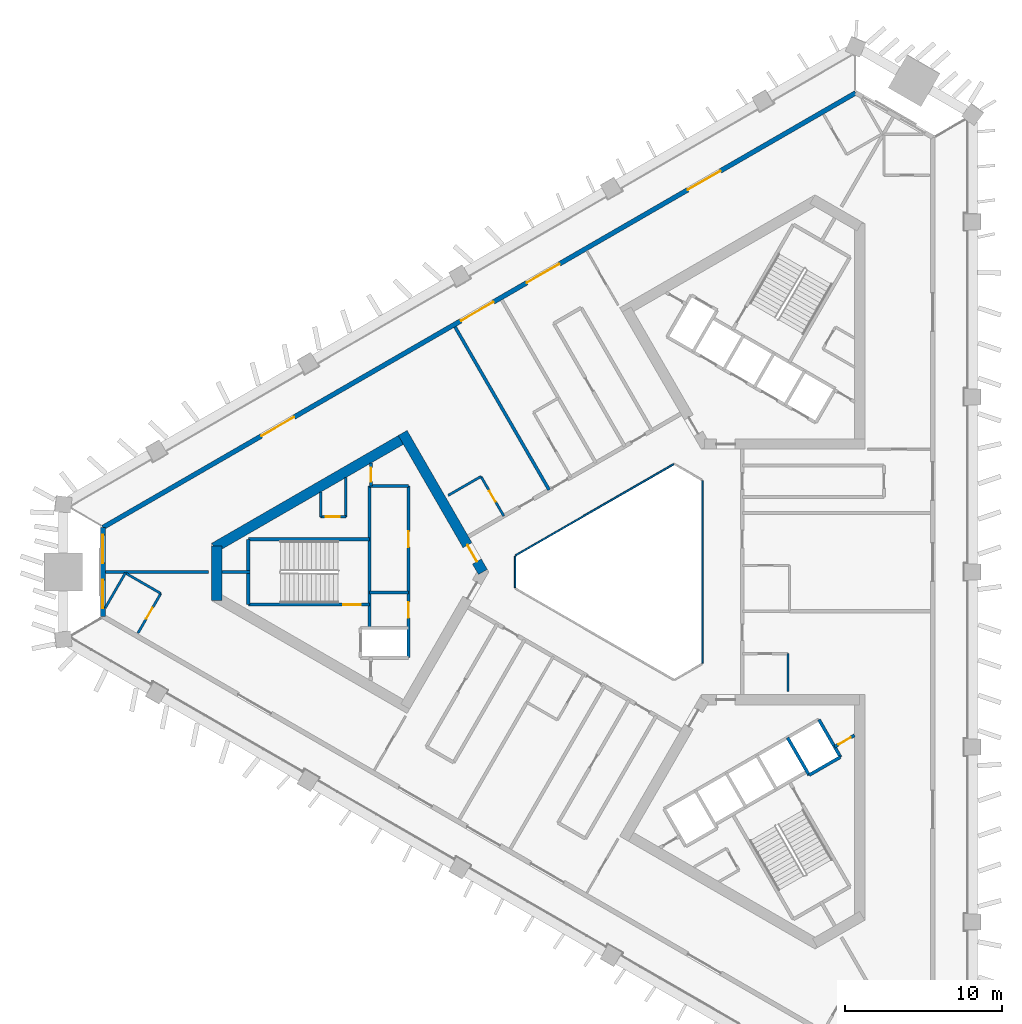
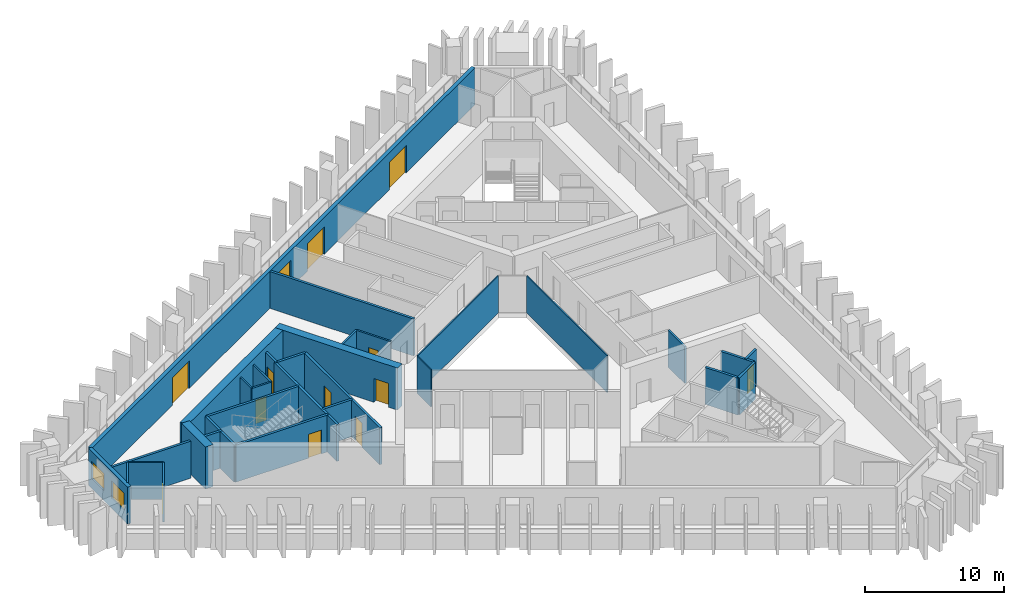
# One storey, part 4 of 11: 32 walls, 13 doors, 2 windows, 15 openings.
"""IFC4 building model written with IfcOpenShell, lengths in metres."""

import ifcopenshell
import ifcopenshell.guid

model = None  # the IFC model being written
_history = None  # IfcOwnerHistory: only IFC2X3 demands one
_inside = {}  # id of a spatial element -> (the spatial element, [elements in it])
_under = {}  # id of a project, library or spatial element -> (it, [spatial elements below it])
_declared = {}  # id of a project -> (the project, [libraries it declares])
_typed = {}  # id of a type object -> (the type object, [elements of that type])
_made_of = {}  # id of a material, layer set ... -> (it, [elements and type objects made of it])


def new_model(schema):
    """Start an empty IFC model of exactly this schema.

    Asked for "IFC4X3", IfcOpenShell would pick the latest addendum, in which some entities
    have other attributes; the version numbers below select the first issue.
    IFC2X3 requires an IfcOwnerHistory on every rooted entity: one is made here for all.
    """
    global model, _history
    if schema == "IFC4X3":
        model = ifcopenshell.file(schema_version=(4, 3, 0, 0))
    else:
        model = ifcopenshell.file(schema=schema)
    _inside.clear()
    _under.clear()
    _declared.clear()
    _typed.clear()
    _made_of.clear()
    _history = None
    if model.schema == "IFC2X3":
        org = make("IfcOrganization", Name="unknown")
        user = make(
            "IfcPersonAndOrganization",
            ThePerson=make("IfcPerson", FamilyName="unknown"),
            TheOrganization=org,
        )
        app = make(
            "IfcApplication",
            ApplicationDeveloper=org,
            Version="unknown",
            ApplicationFullName="unknown",
            ApplicationIdentifier="unknown",
        )
        _history = make(
            "IfcOwnerHistory",
            OwningUser=user,
            OwningApplication=app,
            ChangeAction="ADDED",
            CreationDate=0,
        )
    return model


def make(cls, **values):
    """One entity of the class cls with the attributes given. An attribute that is None is left unset."""
    return model.create_entity(
        cls, **{name: value for name, value in values.items() if value is not None}
    )


def rooted(cls, **values):
    """An entity with a GlobalId (a new one), such as an element, a storey or a relation."""
    return make(cls, GlobalId=ifcopenshell.guid.new(), OwnerHistory=_history, **values)


def si_unit(unit_type, name, prefix=None):
    """IfcSIUnit, for example si_unit("LENGTHUNIT", "METRE", prefix="MILLI")."""
    return make("IfcSIUnit", UnitType=unit_type, Prefix=prefix, Name=name)


def assignment(units):
    """IfcUnitAssignment: the units of a project."""
    return None if units is None else make("IfcUnitAssignment", Units=units)


def point(xyz):
    """IfcCartesianPoint."""
    return None if xyz is None else make("IfcCartesianPoint", Coordinates=xyz)


def direction(xyz):
    """IfcDirection."""
    return None if xyz is None else make("IfcDirection", DirectionRatios=xyz)


def frame(location, z_axis=None, x_axis=None):
    """IfcAxis2Placement3D, a coordinate frame: its origin and axes. An axis left out is left unset."""
    return make(
        "IfcAxis2Placement3D",
        Location=point(location),
        Axis=direction(z_axis),
        RefDirection=direction(x_axis),
    )


def frame_2d(location, x_axis=None):
    """IfcAxis2Placement2D, a coordinate frame in the plane: its origin and x axis."""
    return make(
        "IfcAxis2Placement2D", Location=point(location), RefDirection=direction(x_axis)
    )


def origin():
    """The frame at (0, 0, 0) with its axes left unset."""
    return frame((0.0, 0.0, 0.0))


def place(relative_to, where):
    """IfcLocalPlacement: puts the frame where relative to a parent placement (None: the world)."""
    return make(
        "IfcLocalPlacement", PlacementRelTo=relative_to, RelativePlacement=where
    )


def context(
    kind, dimensions, precision=None, world=None, true_north=None, identifier=None
):
    """IfcGeometricRepresentationContext, for example the 3D "Model" context."""
    return make(
        "IfcGeometricRepresentationContext",
        ContextIdentifier=identifier,
        ContextType=kind,
        CoordinateSpaceDimension=dimensions,
        Precision=precision,
        WorldCoordinateSystem=world,
        TrueNorth=true_north,
    )


def subcontext(parent, identifier, kind, view, scale=None):
    """IfcGeometricRepresentationSubContext, for example "Body" below "Model"."""
    return make(
        "IfcGeometricRepresentationSubContext",
        ContextIdentifier=identifier,
        ContextType=kind,
        ParentContext=parent,
        TargetScale=scale,
        TargetView=view,
    )


def project(units=None, contexts=None):
    """IfcProject with its units and contexts."""
    return rooted(
        "IfcProject",
        Name="project",
        RepresentationContexts=contexts,
        UnitsInContext=assignment(units),
    )


def spatial(cls, under=None, at=None, **own):
    """A site, building, storey or space (cls), placed at a placement, below another one or the project."""
    s = rooted(cls, ObjectPlacement=at, **own)
    if under is not None:
        _under.setdefault(under.id(), (under, []))[1].append(s)
    return s


def profile(cls, at=None, kind="AREA", **sizes):
    """A parametric profile (cls). Its sizes go by their IFC names, for example OverallWidth=200.0."""
    return make(cls, ProfileType=kind, Position=at, **sizes)


def rectangle(**sizes):
    """IfcRectangleProfileDef."""
    return profile("IfcRectangleProfileDef", **sizes)


def extrude(swept, where, along, depth):
    """IfcExtrudedAreaSolid: the profile swept, set in the frame where, extruded along a direction by depth."""
    return make(
        "IfcExtrudedAreaSolid",
        SweptArea=swept,
        Position=where,
        ExtrudedDirection=direction(along),
        Depth=depth,
    )


def shape(context_of_items, identifier, shape_type, items):
    """IfcShapeRepresentation: the items that make up one representation, for example the "Body"."""
    return make(
        "IfcShapeRepresentation",
        ContextOfItems=context_of_items,
        RepresentationIdentifier=identifier,
        RepresentationType=shape_type,
        Items=items,
    )


def material(Name=None, Category=None):
    """IfcMaterial."""
    return make("IfcMaterial", Name=Name, Category=Category)


def layer(
    of_material, thickness, ventilated=None, Name=None, Category=None, Priority=None
):
    """IfcMaterialLayer: one layer of a wall or slab, of a material (None: an air gap)."""
    return make(
        "IfcMaterialLayer",
        Material=of_material,
        LayerThickness=thickness,
        IsVentilated=ventilated,
        Name=Name,
        Category=Category,
        Priority=Priority,
    )


def layer_set(layers, Name=None):
    """IfcMaterialLayerSet."""
    return make("IfcMaterialLayerSet", MaterialLayers=layers, LayerSetName=Name)


def made_of(thing, what):
    """Note that an element or type object is made of a material, layer set ...; save() writes the relation."""
    if what is not None:
        _made_of.setdefault(what.id(), (what, []))[1].append(thing)
    return thing


def type_object(cls, material=None, **own):
    """A type object (cls), such as IfcWallType, which elements share."""
    return made_of(rooted(cls, **own), material)


def element(
    cls,
    number,
    at=None,
    inside=None,
    cuts=None,
    type_object=None,
    material=None,
    context=None,
    identifier="Body",
    shape_type=None,
    held_by="IfcProductDefinitionShape",
    body=None,
    shapes=None,
    **own,
):
    """One element of the class cls, such as IfcWall. Its Tag is "e" and its number.

    at: its placement. inside: the storey or other place that contains it. cuts: it is an
    opening in that element (IfcRelVoidsElement). A single representation is given by context,
    identifier, shape_type and body (its items); several are given by shapes. held_by: the class
    of the entity that holds the representations. save() writes the other relations.
    """
    e = rooted(cls, Tag="e%d" % number, ObjectPlacement=at, **own)
    if body is not None:
        shapes = [shape(context, identifier, shape_type, body)]
    if shapes is not None:
        e.Representation = make(held_by, Representations=shapes)
    if inside is not None:
        _inside.setdefault(inside.id(), (inside, []))[1].append(e)
    if cuts is not None:
        rooted(
            "IfcRelVoidsElement", RelatingBuildingElement=cuts, RelatedOpeningElement=e
        )
    if type_object is not None:
        _typed.setdefault(type_object.id(), (type_object, []))[1].append(e)
    return made_of(e, material)


def fill(opening, filler):
    """IfcRelFillsElement: the door or window that sits in an opening."""
    return rooted(
        "IfcRelFillsElement",
        RelatingOpeningElement=opening,
        RelatedBuildingElement=filler,
    )


def aggregate(whole, parts):
    """IfcRelAggregates: a whole, such as a stair, and the parts it consists of."""
    return rooted("IfcRelAggregates", RelatingObject=whole, RelatedObjects=parts)


def save(model, path):
    """Write the relations noted so far, then the file.

    IfcRelAggregates (storeys below a building ...), IfcRelContainedInSpatialStructure (elements
    in a storey), IfcRelDefinesByType, IfcRelAssociatesMaterial and IfcRelDeclares: one each for
    every whole, place, type object, material and project.
    """
    for whole, parts in _under.values():
        aggregate(whole, parts)
    for where, things in _inside.values():
        rooted(
            "IfcRelContainedInSpatialStructure",
            RelatedElements=things,
            RelatingStructure=where,
        )
    for kind, things in _typed.values():
        rooted("IfcRelDefinesByType", RelatedObjects=things, RelatingType=kind)
    for what, things in _made_of.values():
        rooted("IfcRelAssociatesMaterial", RelatedObjects=things, RelatingMaterial=what)
    for by, libraries in _declared.values():
        rooted("IfcRelDeclares", RelatingContext=by, RelatedDefinitions=libraries)
    model.write(path)


model = new_model("IFC4")

# Units and contexts
model_context = context("Model", 3, precision=1e-05, world=origin(), true_north=direction((0.0, 1.0)))
body_context = subcontext(model_context, "Body", "Model", "MODEL_VIEW")
ifc_project = project(units=[si_unit("LENGTHUNIT", "METRE"), si_unit("AREAUNIT", "SQUARE_METRE"), si_unit("VOLUMEUNIT", "CUBIC_METRE"), si_unit("PLANEANGLEUNIT", "RADIAN"), si_unit("MASSUNIT", "GRAM", prefix="KILO")], contexts=[model_context])

# Site, building, storey
site_placement = place(None, origin())
site = spatial("IfcSite", under=ifc_project, at=site_placement, CompositionType="ELEMENT")
building_placement = place(site_placement, origin())
building = spatial("IfcBuilding", under=site, at=building_placement, Name="Jabali Bay Hotel Tower and Convention Centre", CompositionType="ELEMENT")
storey_placement = place(building_placement, frame((0.0, 0.0, 143.800048828125)))
storey = spatial("IfcBuildingStorey", under=building, at=storey_placement, Name="L35", CompositionType="ELEMENT", Elevation=143.800048828125)

# Walls
ifc_material_1 = material(Name="Fire-resistant glazing", Category="glass")
ifc_layer_1 = layer(ifc_material_1, 0.10009765625)
ifc_layer_set_1 = layer_set([ifc_layer_1], Name="Fire-resistant glazing")
wall_type_1 = type_object("IfcWallType", Name="Atrium glazed screen 100", PredefinedType="PARTITIONING", material=ifc_layer_set_1)
for number, where, z_axis, x_axis, name in (
    (1, (79.56005859375, 74.205810546875, 0.0), (0.0, 0.0, 1.0), (0.0, 1.0, 0.0), "Atrium screen 1 L35"),
    (2, (77.738037109375, 86.84619140625, 0.0), (0.0, 0.0, 1.0), (-0.866026658274, -0.499997827154, 0.0), "Atrium screen 3 L35"),
):
    element("IfcWall", number, at=place(storey_placement, frame(where, z_axis=z_axis, x_axis=x_axis)), inside=storey, type_object=wall_type_1, Name=name, PredefinedType="PARTITIONING", context=body_context, shape_type="SweptSolid", body=[
        extrude(rectangle(XDim=11.58837890625, YDim=0.10009765625, at=frame_2d((5.794189453125, 0.0))), origin(), (0.0, 0.0, 1.0), 3.25),
    ])
wall_1_placement = place(storey_placement, frame((67.672119140625, 81.0, 0.0), z_axis=(0.0, 0.0, 1.0), x_axis=(0.0, -1.0, 0.0)))
element("IfcWall", 3, at=wall_1_placement, inside=storey, type_object=wall_type_1, Name="Atrium screen 4 L35", PredefinedType="PARTITIONING", context=body_context, shape_type="SweptSolid", body=[
    extrude(rectangle(XDim=2.0, YDim=0.10009765625, at=frame_2d((1.0, 0.0))), origin(), (0.0, 0.0, 1.0), 3.25),
])
ifc_material_2 = material(Name="Concrete C40", Category="concrete")
ifc_layer_2 = layer(ifc_material_2, 0.199951171875)
ifc_layer_set_2 = layer_set([ifc_layer_2], Name="Concrete C40")
wall_type_2 = type_object("IfcWallType", Name="Core partition wall 200", PredefinedType="PARTITIONING", material=ifc_layer_set_2)
wall_2_placement = place(storey_placement, frame((50.820068359375, 80.0, 0.0), z_axis=(0.0, 0.0, 1.0), x_axis=(-1.0, 0.0, 0.0)))
element("IfcWall", 4, at=wall_2_placement, inside=storey, type_object=wall_type_2, Name="Core wall 0.3 L35", PredefinedType="PARTITIONING", context=body_context, shape_type="SweptSolid", body=[
    extrude(rectangle(XDim=1.773193359375, YDim=0.199951171875, at=frame_2d((0.88671875, 0.0))), origin(), (0.0, 0.0, 1.0), 3.25),
])

# Wall, opening, door
wall_3_placement = place(storey_placement, frame((58.52001953125, 86.916748046875, 0.0), z_axis=(0.0, 0.0, 1.0), x_axis=(0.0, -1.0, 0.0)))
wall_3 = element("IfcWall", 5, at=wall_3_placement, inside=storey, type_object=wall_type_2, Name="Core wall 0.9 L35", PredefinedType="PARTITIONING", context=body_context, shape_type="SweptSolid", body=[
    extrude(rectangle(XDim=1.466796875, YDim=0.199951171875, at=frame_2d((0.7333984375, 0.0))), origin(), (0.0, 0.0, 1.0), 3.25),
])
opening_1_placement = place(wall_3_placement, frame((0.283447265625, 0.0, 0.0)))
opening_1 = element("IfcOpeningElement", 6, at=opening_1_placement, cuts=wall_3, Name="Opening D767", PredefinedType="OPENING", context=body_context, shape_type="SweptSolid", body=[
    extrude(rectangle(XDim=0.89990234375, YDim=2.10009765625, at=frame_2d((0.449951171875, 1.050048828125))), frame((0.0, 0.1103515625, 0.0), z_axis=(0.0, -1.0, 0.0), x_axis=(1.0, 0.0, 0.0)), (0.0, 0.0, 1.0), 0.220947265625),
])
ifc_material_3 = material(Name="Fire-rated steel door", Category="steel")
door_type_1 = type_object("IfcDoorType", Name="Vestibule fire door 900 x 2100", OperationType="NOTDEFINED", PredefinedType="NOTDEFINED", material=ifc_material_3)
door_1_placement = place(opening_1_placement, origin())
door_1 = element("IfcDoor", 7, at=door_1_placement, inside=storey, type_object=door_type_1, Name="Vestibule fire door D767", OperationType="SINGLE_SWING_LEFT", OverallHeight=2.10009765625, OverallWidth=0.89990234375, PredefinedType="NOTDEFINED", context=body_context, shape_type="SweptSolid", body=[
    extrude(rectangle(XDim=0.89990234375, YDim=2.10009765625, at=frame_2d((0.449951171875, 1.050048828125))), frame((0.0, 0.02490234375, 0.0), z_axis=(0.0, -1.0, 0.0), x_axis=(1.0, 0.0, 0.0)), (0.0, 0.0, 1.0), 0.050048828125),
])
fill(opening_1, door_1)

wall_4_placement = place(storey_placement, frame((87.964599609375, 68.89453125, 0.0), z_axis=(0.0, 0.0, 1.0), x_axis=(0.866054810376, 0.49994906283, 0.0)))
wall_4 = element("IfcWall", 8, at=wall_4_placement, inside=storey, type_object=wall_type_2, Name="Core wall 2.12 L35", PredefinedType="PARTITIONING", context=body_context, shape_type="SweptSolid", body=[
    extrude(rectangle(XDim=1.461181640625, YDim=0.199951171875, at=frame_2d((0.73046875, 0.0))), origin(), (0.0, 0.0, 1.0), 3.25),
])
opening_2_placement = place(wall_4_placement, frame((0.280517578125, 0.0, 0.0)))
opening_2 = element("IfcOpeningElement", 9, at=opening_2_placement, cuts=wall_4, Name="Opening D778", PredefinedType="OPENING", context=body_context, shape_type="SweptSolid", body=[
    extrude(rectangle(XDim=0.89990234375, YDim=2.10009765625, at=frame_2d((0.449951171875, 1.050048828125))), frame((0.0, 0.1103515625, 0.0), z_axis=(0.0, -1.0, 0.0), x_axis=(1.0, 0.0, 0.0)), (0.0, 0.0, 1.0), 0.220947265625),
])
door_2_placement = place(opening_2_placement, origin())
door_2 = element("IfcDoor", 10, at=door_2_placement, inside=storey, type_object=door_type_1, Name="Vestibule fire door D778", OperationType="SINGLE_SWING_LEFT", OverallHeight=2.10009765625, OverallWidth=0.89990234375, PredefinedType="NOTDEFINED", context=body_context, shape_type="SweptSolid", body=[
    extrude(rectangle(XDim=0.89990234375, YDim=2.10009765625, at=frame_2d((0.449951171875, 1.050048828125))), frame((0.0, 0.02490234375, 0.0), z_axis=(0.0, -1.0, 0.0), x_axis=(1.0, 0.0, 0.0)), (0.0, 0.0, 1.0), 0.050048828125),
])
fill(opening_2, door_2)

ifc_material_4 = material(Name="Fire-rated board partition")
ifc_layer_3 = layer(ifc_material_4, 0.14990234375)
ifc_layer_set_3 = layer_set([ifc_layer_3], Name="Fire-rated board partition")
wall_type_3 = type_object("IfcWallType", Name="Core room partition 150", PredefinedType="PARTITIONING", material=ifc_layer_set_3)
wall_5_placement = place(storey_placement, frame((56.919921875, 83.5, 0.0), z_axis=(0.0, 0.0, 1.0), x_axis=(-1.0, 0.0, 0.0)))
wall_5 = element("IfcWall", 11, at=wall_5_placement, inside=storey, type_object=wall_type_3, Name="Core wall 0.1 L35", PredefinedType="PARTITIONING", context=body_context, shape_type="SweptSolid", body=[
    extrude(rectangle(XDim=1.599853515625, YDim=0.14990234375, at=frame_2d((0.7998046875, 0.0))), origin(), (0.0, 0.0, 1.0), 3.25),
])
opening_3_placement = place(wall_5_placement, frame((0.387451171875, 0.0, 0.0)))
opening_3 = element("IfcOpeningElement", 12, at=opening_3_placement, cuts=wall_5, Name="Opening D769", PredefinedType="OPENING", context=body_context, shape_type="SweptSolid", body=[
    extrude(rectangle(XDim=0.89990234375, YDim=2.10009765625, at=frame_2d((0.449951171875, 1.050048828125))), frame((0.0, 0.08544921875, 0.0), z_axis=(0.0, -1.0, 0.0), x_axis=(1.0, 0.0, 0.0)), (0.0, 0.0, 1.0), 0.1708984375),
])
door_type_2 = type_object("IfcDoorType", Name="Core room door 900 x 2100", OperationType="NOTDEFINED", PredefinedType="NOTDEFINED", material=ifc_material_3)
door_3_placement = place(opening_3_placement, origin())
door_3 = element("IfcDoor", 13, at=door_3_placement, inside=storey, type_object=door_type_2, Name="Core room door D769", OperationType="SINGLE_SWING_LEFT", OverallHeight=2.10009765625, OverallWidth=0.89990234375, PredefinedType="NOTDEFINED", context=body_context, shape_type="SweptSolid", body=[
    extrude(rectangle(XDim=0.89990234375, YDim=2.10009765625, at=frame_2d((0.449951171875, 1.050048828125))), frame((0.0, 0.02490234375, 0.0), z_axis=(0.0, -1.0, 0.0), x_axis=(1.0, 0.0, 0.0)), (0.0, 0.0, 1.0), 0.050048828125),
])
fill(opening_3, door_3)

# Walls
wall_6_placement = place(storey_placement, frame((56.919921875, 85.992919921875, 0.0), z_axis=(0.0, 0.0, 1.0), x_axis=(0.0, -1.0, 0.0)))
element("IfcWall", 14, at=wall_6_placement, inside=storey, type_object=wall_type_3, Name="Core wall 0.13 L35", PredefinedType="PARTITIONING", context=body_context, shape_type="SweptSolid", body=[
    extrude(rectangle(XDim=2.492919921875, YDim=0.14990234375, at=frame_2d((1.24658203125, 0.0))), origin(), (0.0, 0.0, 1.0), 3.25),
])
wall_7_placement = place(storey_placement, frame((55.320068359375, 85.069091796875, 0.0), z_axis=(0.0, 0.0, 1.0), x_axis=(0.0, -1.0, 0.0)))
element("IfcWall", 15, at=wall_7_placement, inside=storey, type_object=wall_type_3, Name="Core wall 0.14 L35", PredefinedType="PARTITIONING", context=body_context, shape_type="SweptSolid", body=[
    extrude(rectangle(XDim=1.569091796875, YDim=0.14990234375, at=frame_2d((0.78466796875, 0.0))), origin(), (0.0, 0.0, 1.0), 3.25),
])
ifc_layer_4 = layer(ifc_material_2, 0.199951171875)
ifc_layer_set_4 = layer_set([ifc_layer_4], Name="Concrete C40")
wall_type_4 = type_object("IfcWallType", Name="Core stair wall 200", PredefinedType="SOLIDWALL", material=ifc_layer_set_4)
wall_8_placement = place(storey_placement, frame((60.89990234375, 85.449951171875, 0.0), z_axis=(0.0, 0.0, 1.0), x_axis=(-1.0, 0.0, 0.0)))
element("IfcWall", 16, at=wall_8_placement, inside=storey, type_object=wall_type_4, Name="Core wall 0.0 L35", PredefinedType="SOLIDWALL", context=body_context, shape_type="SweptSolid", body=[
    extrude(rectangle(XDim=2.47998046875, YDim=0.199951171875, at=frame_2d((1.239990234375, 0.0))), origin(), (0.0, 0.0, 1.0), 3.25),
])
wall_9_placement = place(storey_placement, frame((58.419921875, 82.074951171875, 0.0), z_axis=(0.0, 0.0, 1.0), x_axis=(-1.0, 0.0, 0.0)))
element("IfcWall", 17, at=wall_9_placement, inside=storey, type_object=wall_type_4, Name="Core wall 0.2 L35", PredefinedType="SOLIDWALL", context=body_context, shape_type="SweptSolid", body=[
    extrude(rectangle(XDim=7.699951171875, YDim=0.199951171875, at=frame_2d((3.85009765625, 0.0))), origin(), (0.0, 0.0, 1.0), 3.25),
])
wall_10_placement = place(storey_placement, frame((60.89990234375, 78.699951171875, 0.0), z_axis=(0.0, 0.0, 1.0), x_axis=(-1.0, 0.0, 0.0)))
element("IfcWall", 18, at=wall_10_placement, inside=storey, type_object=wall_type_4, Name="Core wall 0.4 L35", PredefinedType="SOLIDWALL", context=body_context, shape_type="SweptSolid", body=[
    extrude(rectangle(XDim=2.47998046875, YDim=0.199951171875, at=frame_2d((1.239990234375, 0.0))), origin(), (0.0, 0.0, 1.0), 3.25),
])

# Wall, opening, door
wall_11_placement = place(storey_placement, frame((58.419921875, 77.925048828125, 0.0), z_axis=(0.0, 0.0, 1.0), x_axis=(-1.0, 0.0, 0.0)))
wall_11 = element("IfcWall", 19, at=wall_11_placement, inside=storey, type_object=wall_type_4, Name="Core wall 0.5 L35", PredefinedType="SOLIDWALL", context=body_context, shape_type="SweptSolid", body=[
    extrude(rectangle(XDim=7.699951171875, YDim=0.199951171875, at=frame_2d((3.85009765625, 0.0))), origin(), (0.0, 0.0, 1.0), 3.25),
])
opening_4_placement = place(wall_11_placement, frame((0.550048828125, 0.0, 0.0)))
opening_4 = element("IfcOpeningElement", 20, at=opening_4_placement, cuts=wall_11, Name="Opening D768", PredefinedType="OPENING", context=body_context, shape_type="SweptSolid", body=[
    extrude(rectangle(XDim=1.10009765625, YDim=2.10009765625, at=frame_2d((0.550048828125, 1.050048828125))), frame((0.0, 0.1103515625, 0.0), z_axis=(0.0, -1.0, 0.0), x_axis=(1.0, 0.0, 0.0)), (0.0, 0.0, 1.0), 0.220947265625),
])
door_type_3 = type_object("IfcDoorType", Name="Stair fire door 1100 x 2100", OperationType="NOTDEFINED", PredefinedType="NOTDEFINED", material=ifc_material_3)
door_4_placement = place(opening_4_placement, origin())
door_4 = element("IfcDoor", 21, at=door_4_placement, inside=storey, type_object=door_type_3, Name="Stair fire door D768", OperationType="SINGLE_SWING_RIGHT", OverallHeight=2.10009765625, OverallWidth=1.10009765625, PredefinedType="NOTDEFINED", context=body_context, shape_type="SweptSolid", body=[
    extrude(rectangle(XDim=1.10009765625, YDim=2.10009765625, at=frame_2d((0.550048828125, 1.050048828125))), frame((0.0, 0.02490234375, 0.0), z_axis=(0.0, -1.0, 0.0), x_axis=(1.0, 0.0, 0.0)), (0.0, 0.0, 1.0), 0.050048828125),
])
fill(opening_4, door_4)

# Wall, openings, doors
wall_12_placement = place(storey_placement, frame((60.89990234375, 85.449951171875, 0.0), z_axis=(0.0, 0.0, 1.0), x_axis=(0.0, -1.0, 0.0)))
wall_12 = element("IfcWall", 22, at=wall_12_placement, inside=storey, type_object=wall_type_4, Name="Core wall 0.8 L35", PredefinedType="SOLIDWALL", context=body_context, shape_type="SweptSolid", body=[
    extrude(rectangle(XDim=10.89990234375, YDim=0.199951171875, at=frame_2d((5.449951171875, 0.0))), origin(), (0.0, 0.0, 1.0), 3.25),
])
opening_5_placement = place(wall_12_placement, frame((2.875, 0.0, 0.0)))
opening_5 = element("IfcOpeningElement", 23, at=opening_5_placement, cuts=wall_12, Name="Opening D764", PredefinedType="OPENING", context=body_context, shape_type="SweptSolid", body=[
    extrude(rectangle(XDim=1.0, YDim=2.10009765625, at=frame_2d((0.5, 1.050048828125))), frame((0.0, 0.1103515625, 0.0), z_axis=(0.0, -1.0, 0.0), x_axis=(1.0, 0.0, 0.0)), (0.0, 0.0, 1.0), 0.220947265625),
])
opening_6_placement = place(wall_12_placement, frame((7.375, 0.0, 0.0)))
opening_6 = element("IfcOpeningElement", 24, at=opening_6_placement, cuts=wall_12, Name="Opening D765", PredefinedType="OPENING", context=body_context, shape_type="SweptSolid", body=[
    extrude(rectangle(XDim=1.0, YDim=2.10009765625, at=frame_2d((0.5, 1.050048828125))), frame((0.0, 0.1103515625, 0.0), z_axis=(0.0, -1.0, 0.0), x_axis=(1.0, 0.0, 0.0)), (0.0, 0.0, 1.0), 0.220947265625),
])
door_type_4 = type_object("IfcDoorType", Name="Core room door 1000 x 2100", OperationType="NOTDEFINED", PredefinedType="NOTDEFINED", material=ifc_material_3)
door_5_placement = place(opening_5_placement, origin())
door_5 = element("IfcDoor", 25, at=door_5_placement, inside=storey, type_object=door_type_4, Name="Core room door D764", OperationType="SINGLE_SWING_RIGHT", OverallHeight=2.10009765625, OverallWidth=1.0, PredefinedType="NOTDEFINED", context=body_context, shape_type="SweptSolid", body=[
    extrude(rectangle(XDim=1.0, YDim=2.10009765625, at=frame_2d((0.5, 1.050048828125))), frame((0.0, 0.02490234375, 0.0), z_axis=(0.0, -1.0, 0.0), x_axis=(1.0, 0.0, 0.0)), (0.0, 0.0, 1.0), 0.050048828125),
])
fill(opening_5, door_5)
door_6_placement = place(opening_6_placement, origin())
door_6 = element("IfcDoor", 26, at=door_6_placement, inside=storey, type_object=door_type_4, Name="Core room door D765", OperationType="SINGLE_SWING_RIGHT", OverallHeight=2.10009765625, OverallWidth=1.0, PredefinedType="NOTDEFINED", context=body_context, shape_type="SweptSolid", body=[
    extrude(rectangle(XDim=1.0, YDim=2.10009765625, at=frame_2d((0.5, 1.050048828125))), frame((0.0, 0.02490234375, 0.0), z_axis=(0.0, -1.0, 0.0), x_axis=(1.0, 0.0, 0.0)), (0.0, 0.0, 1.0), 0.050048828125),
])
fill(opening_6, door_6)

# Walls
wall_13_placement = place(storey_placement, frame((58.419921875, 85.449951171875, 0.0), z_axis=(0.0, 0.0, 1.0), x_axis=(0.0, -1.0, 0.0)))
element("IfcWall", 27, at=wall_13_placement, inside=storey, type_object=wall_type_4, Name="Core wall 0.11 L35", PredefinedType="SOLIDWALL", context=body_context, shape_type="SweptSolid", body=[
    extrude(rectangle(XDim=9.0, YDim=0.199951171875, at=frame_2d((4.5, 0.0))), origin(), (0.0, 0.0, 1.0), 3.25),
])
wall_14_placement = place(storey_placement, frame((50.719970703125, 82.074951171875, 0.0), z_axis=(0.0, 0.0, 1.0), x_axis=(0.0, -1.0, 0.0)))
element("IfcWall", 28, at=wall_14_placement, inside=storey, type_object=wall_type_4, Name="Core wall 0.15 L35", PredefinedType="SOLIDWALL", context=body_context, shape_type="SweptSolid", body=[
    extrude(rectangle(XDim=4.14990234375, YDim=0.199951171875, at=frame_2d((2.074951171875, 0.0))), origin(), (0.0, 0.0, 1.0), 3.25),
])
for number, where, z_axis, x_axis, name in (
    (29, (84.972900390625, 69.4765625, 0.0), (0.0, 0.0, 1.0), (0.499996545922, -0.866027397988, 0.0), "Core wall 2.8 L35"),
    (30, (86.964599609375, 70.62646484375, 0.0), (0.0, 0.0, 1.0), (0.499996545922, -0.866027397988, 0.0), "Core wall 2.9 L35"),
):
    element("IfcWall", number, at=place(storey_placement, frame(where, z_axis=z_axis, x_axis=x_axis)), inside=storey, type_object=wall_type_4, Name=name, PredefinedType="SOLIDWALL", context=body_context, shape_type="SweptSolid", body=[
        extrude(rectangle(XDim=2.75, YDim=0.199951171875, at=frame_2d((1.375, 0.0))), origin(), (0.0, 0.0, 1.0), 3.25),
    ])
wall_15_placement = place(storey_placement, frame((86.347900390625, 67.094970703125, 0.0), z_axis=(0.0, 0.0, 1.0), x_axis=(0.86602648383, 0.499998129301, 0.0)))
element("IfcWall", 31, at=wall_15_placement, inside=storey, type_object=wall_type_4, Name="Core wall 2.15 L35", PredefinedType="SOLIDWALL", context=body_context, shape_type="SweptSolid", body=[
    extrude(rectangle(XDim=2.2998046875, YDim=0.199951171875, at=frame_2d((1.14990234375, 0.0))), origin(), (0.0, 0.0, 1.0), 3.25),
])

# Wall, opening, door
ifc_material_5 = material(Name="Concrete C60", Category="concrete")
ifc_layer_5 = layer(ifc_material_5, 0.64990234375)
ifc_layer_set_5 = layer_set([ifc_layer_5], Name="Concrete C60")
wall_type_5 = type_object("IfcWallType", Name="Core wall 650", PredefinedType="SHEAR", material=ifc_layer_set_5)
wall_16_placement = place(storey_placement, frame((65.624755859375, 80.0, 0.0), z_axis=(0.0, 0.0, 1.0), x_axis=(-0.49999822179, 0.866026430432, 0.0)))
wall_16 = element("IfcWall", 32, at=wall_16_placement, inside=storey, type_object=wall_type_5, Name="Core wall 1.1 L35", PredefinedType="SHEAR", context=body_context, shape_type="SweptSolid", body=[
    extrude(rectangle(XDim=10.1923828125, YDim=0.64990234375, at=frame_2d((5.09619140625, 0.0))), origin(), (0.0, 0.0, 1.0), 3.699951171875),
])
opening_7_placement = place(wall_16_placement, frame((0.762451171875, 0.0, 0.0)))
opening_7 = element("IfcOpeningElement", 33, at=opening_7_placement, cuts=wall_16, Name="Opening D762", PredefinedType="OPENING", context=body_context, shape_type="SweptSolid", body=[
    extrude(rectangle(XDim=1.199951171875, YDim=2.10009765625, at=frame_2d((0.60009765625, 1.050048828125))), frame((0.0, 0.33544921875, 0.0), z_axis=(0.0, -1.0, 0.0), x_axis=(1.0, 0.0, 0.0)), (0.0, 0.0, 1.0), 0.6708984375),
])
door_type_5 = type_object("IfcDoorType", Name="Corridor end fire door 1200 x 2100", OperationType="NOTDEFINED", PredefinedType="NOTDEFINED", material=ifc_material_3)
door_7_placement = place(opening_7_placement, origin())
door_7 = element("IfcDoor", 34, at=door_7_placement, inside=storey, type_object=door_type_5, Name="Corridor end fire door D762", OperationType="SINGLE_SWING_RIGHT", OverallHeight=2.10009765625, OverallWidth=1.199951171875, PredefinedType="NOTDEFINED", context=body_context, shape_type="SweptSolid", body=[
    extrude(rectangle(XDim=1.199951171875, YDim=2.10009765625, at=frame_2d((0.60009765625, 1.050048828125))), frame((0.0, 0.02490234375, 0.0), z_axis=(0.0, -1.0, 0.0), x_axis=(1.0, 0.0, 0.0)), (0.0, 0.0, 1.0), 0.050048828125),
])
fill(opening_7, door_7)

# Walls
wall_17_placement = place(storey_placement, frame((60.691162109375, 88.54541015625, 0.0), z_axis=(0.0, 0.0, 1.0), x_axis=(-0.866030607649, -0.499990986534, 0.0)))
element("IfcWall", 35, at=wall_17_placement, inside=storey, type_object=wall_type_5, Name="Core wall 1.2 L35", PredefinedType="SHEAR", context=body_context, shape_type="SweptSolid", body=[
    extrude(rectangle(XDim=14.008544921875, YDim=0.64990234375, at=frame_2d((7.00439453125, 0.0))), origin(), (0.0, 0.0, 1.0), 3.699951171875),
])
wall_18_placement = place(storey_placement, frame((48.721923828125, 81.635009765625, 0.0), z_axis=(0.0, 0.0, 1.0), x_axis=(0.0, -1.0, 0.0)))
element("IfcWall", 36, at=wall_18_placement, inside=storey, type_object=wall_type_5, Name="Core wall 1.3 L35", PredefinedType="SHEAR", context=body_context, shape_type="SweptSolid", body=[
    extrude(rectangle(XDim=3.457763671875, YDim=0.64990234375, at=frame_2d((1.72900390625, 0.0))), origin(), (0.0, 0.0, 1.0), 3.699951171875),
])

# Wall, openings, windows
ifc_layer_6 = layer(ifc_material_2, 0.300048828125)
ifc_layer_set_6 = layer_set([ifc_layer_6], Name="Concrete C40")
wall_type_6 = type_object("IfcWallType", Name="External wall 300", PredefinedType="SOLIDWALL", material=ifc_layer_set_6)
wall_19_placement = place(storey_placement, frame((41.488037109375, 77.175048828125, 0.0), z_axis=(0.0, 0.0, 1.0), x_axis=(0.0, 1.0, 0.0)))
wall_19 = element("IfcWall", 37, at=wall_19_placement, inside=storey, type_object=wall_type_6, Name="External wall west chamfer L35", PredefinedType="SOLIDWALL", context=body_context, shape_type="SweptSolid", body=[
    extrude(rectangle(XDim=5.64990234375, YDim=0.300048828125, at=frame_2d((2.824951171875, 0.0))), origin(), (0.0, 0.0, 1.0), 3.25),
])
opening_8_placement = place(wall_19_placement, frame((0.524169921875, 0.0, 0.89990234375)))
opening_8 = element("IfcOpeningElement", 38, at=opening_8_placement, cuts=wall_19, Name="Opening W1", PredefinedType="OPENING", context=body_context, shape_type="SweptSolid", body=[
    extrude(rectangle(XDim=1.800048828125, YDim=1.5, at=frame_2d((0.89990234375, 0.75))), frame((0.0, 0.16064453125, 0.0), z_axis=(0.0, -1.0, 0.0), x_axis=(1.0, 0.0, 0.0)), (0.0, 0.0, 1.0), 0.321044921875),
])
opening_9_placement = place(wall_19_placement, frame((3.380126953125, 0.0, 0.89990234375)))
opening_9 = element("IfcOpeningElement", 39, at=opening_9_placement, cuts=wall_19, Name="Opening W1", PredefinedType="OPENING", context=body_context, shape_type="SweptSolid", body=[
    extrude(rectangle(XDim=1.800048828125, YDim=1.5, at=frame_2d((0.89990234375, 0.75))), frame((0.0, 0.16064453125, 0.0), z_axis=(0.0, -1.0, 0.0), x_axis=(1.0, 0.0, 0.0)), (0.0, 0.0, 1.0), 0.321044921875),
])
ifc_material_6 = material(Name="Glass", Category="glass")
window_type = type_object("IfcWindowType", Name="Window 1800 x 1500", PartitioningType="SINGLE_PANEL", PredefinedType="WINDOW", material=ifc_material_6)
window_1_placement = place(opening_8_placement, origin())
window_1 = element("IfcWindow", 40, at=window_1_placement, inside=storey, type_object=window_type, Name="Window 3509", OverallHeight=1.5, OverallWidth=1.800048828125, PartitioningType="SINGLE_PANEL", PredefinedType="WINDOW", context=body_context, shape_type="SweptSolid", body=[
    extrude(rectangle(XDim=1.800048828125, YDim=1.5, at=frame_2d((0.89990234375, 0.75))), frame((0.0, 0.030029296875, 0.0), z_axis=(0.0, -1.0, 0.0), x_axis=(1.0, 0.0, 0.0)), (0.0, 0.0, 1.0), 0.06005859375),
])
fill(opening_8, window_1)
window_2_placement = place(opening_9_placement, origin())
window_2 = element("IfcWindow", 41, at=window_2_placement, inside=storey, type_object=window_type, Name="Window 3508", OverallHeight=1.5, OverallWidth=1.800048828125, PartitioningType="SINGLE_PANEL", PredefinedType="WINDOW", context=body_context, shape_type="SweptSolid", body=[
    extrude(rectangle(XDim=1.800048828125, YDim=1.5, at=frame_2d((0.89990234375, 0.75))), frame((0.0, 0.030029296875, 0.0), z_axis=(0.0, -1.0, 0.0), x_axis=(1.0, 0.0, 0.0)), (0.0, 0.0, 1.0), 0.06005859375),
])
fill(opening_9, window_2)

# Wall, openings, doors
wall_20_placement = place(storey_placement, frame((41.488037109375, 82.824951171875, 0.0), z_axis=(0.0, 0.0, 1.0), x_axis=(0.866024712045, 0.500001198125, 0.0)))
wall_20 = element("IfcWall", 42, at=wall_20_placement, inside=storey, type_object=wall_type_6, Name="External wall north-west face L35", PredefinedType="SOLIDWALL", context=body_context, shape_type="SweptSolid", body=[
    extrude(rectangle(XDim=55.219482421875, YDim=0.300048828125, at=frame_2d((27.60986328125, 0.0))), origin(), (0.0, 0.0, 1.0), 3.25),
])
opening_10_placement = place(wall_20_placement, frame((26.25390625, 0.0, 0.0)))
opening_10 = element("IfcOpeningElement", 43, at=opening_10_placement, cuts=wall_20, Name="Opening SD1", PredefinedType="OPENING", context=body_context, shape_type="SweptSolid", body=[
    extrude(rectangle(XDim=2.39990234375, YDim=2.39990234375, at=frame_2d((1.199951171875, 1.199951171875))), frame((0.0, 0.16064453125, 0.0), z_axis=(0.0, -1.0, 0.0), x_axis=(1.0, 0.0, 0.0)), (0.0, 0.0, 1.0), 0.321044921875),
])
opening_11_placement = place(wall_20_placement, frame((31.08642578125, 0.0, 0.0)))
opening_11 = element("IfcOpeningElement", 44, at=opening_11_placement, cuts=wall_20, Name="Opening SD1", PredefinedType="OPENING", context=body_context, shape_type="SweptSolid", body=[
    extrude(rectangle(XDim=2.39990234375, YDim=2.39990234375, at=frame_2d((1.199951171875, 1.199951171875))), frame((0.0, 0.16064453125, 0.0), z_axis=(0.0, -1.0, 0.0), x_axis=(1.0, 0.0, 0.0)), (0.0, 0.0, 1.0), 0.321044921875),
])
opening_12_placement = place(wall_20_placement, frame((42.89208984375, 0.0, 0.0)))
opening_12 = element("IfcOpeningElement", 45, at=opening_12_placement, cuts=wall_20, Name="Opening SD1", PredefinedType="OPENING", context=body_context, shape_type="SweptSolid", body=[
    extrude(rectangle(XDim=2.39990234375, YDim=2.39990234375, at=frame_2d((1.199951171875, 1.199951171875))), frame((0.0, 0.16064453125, 0.0), z_axis=(0.0, -1.0, 0.0), x_axis=(1.0, 0.0, 0.0)), (0.0, 0.0, 1.0), 0.321044921875),
])
opening_13_placement = place(wall_20_placement, frame((11.626220703125, 0.0, 0.0)))
opening_13 = element("IfcOpeningElement", 46, at=opening_13_placement, cuts=wall_20, Name="Opening SD1", PredefinedType="OPENING", context=body_context, shape_type="SweptSolid", body=[
    extrude(rectangle(XDim=2.39990234375, YDim=2.39990234375, at=frame_2d((1.199951171875, 1.199951171875))), frame((0.0, 0.16064453125, 0.0), z_axis=(0.0, -1.0, 0.0), x_axis=(1.0, 0.0, 0.0)), (0.0, 0.0, 1.0), 0.321044921875),
])
door_type_6 = type_object("IfcDoorType", Name="Loggia sliding door 2400 x 2400", OperationType="NOTDEFINED", PredefinedType="NOTDEFINED", material=ifc_material_6)
door_8_placement = place(opening_10_placement, origin())
door_8 = element("IfcDoor", 47, at=door_8_placement, inside=storey, type_object=door_type_6, Name="Loggia sliding door 3507", OperationType="SLIDING_TO_LEFT", OverallHeight=2.39990234375, OverallWidth=2.39990234375, PredefinedType="NOTDEFINED", context=body_context, shape_type="SweptSolid", body=[
    extrude(rectangle(XDim=2.39990234375, YDim=2.39990234375, at=frame_2d((1.199951171875, 1.199951171875))), frame((0.0, 0.02490234375, 0.0), z_axis=(0.0, -1.0, 0.0), x_axis=(1.0, 0.0, 0.0)), (0.0, 0.0, 1.0), 0.050048828125),
])
fill(opening_10, door_8)
door_9_placement = place(opening_11_placement, origin())
door_9 = element("IfcDoor", 48, at=door_9_placement, inside=storey, type_object=door_type_6, Name="Loggia sliding door 3505", OperationType="SLIDING_TO_RIGHT", OverallHeight=2.39990234375, OverallWidth=2.39990234375, PredefinedType="NOTDEFINED", context=body_context, shape_type="SweptSolid", body=[
    extrude(rectangle(XDim=2.39990234375, YDim=2.39990234375, at=frame_2d((1.199951171875, 1.199951171875))), frame((0.0, 0.02490234375, 0.0), z_axis=(0.0, -1.0, 0.0), x_axis=(1.0, 0.0, 0.0)), (0.0, 0.0, 1.0), 0.050048828125),
])
fill(opening_11, door_9)
door_10_placement = place(opening_12_placement, origin())
door_10 = element("IfcDoor", 49, at=door_10_placement, inside=storey, type_object=door_type_6, Name="Loggia sliding door 3505", OperationType="SLIDING_TO_LEFT", OverallHeight=2.39990234375, OverallWidth=2.39990234375, PredefinedType="NOTDEFINED", context=body_context, shape_type="SweptSolid", body=[
    extrude(rectangle(XDim=2.39990234375, YDim=2.39990234375, at=frame_2d((1.199951171875, 1.199951171875))), frame((0.0, 0.02490234375, 0.0), z_axis=(0.0, -1.0, 0.0), x_axis=(1.0, 0.0, 0.0)), (0.0, 0.0, 1.0), 0.050048828125),
])
fill(opening_12, door_10)
door_11_placement = place(opening_13_placement, origin())
door_11 = element("IfcDoor", 50, at=door_11_placement, inside=storey, type_object=door_type_6, Name="Loggia sliding door 3508", OperationType="SLIDING_TO_RIGHT", OverallHeight=2.39990234375, OverallWidth=2.39990234375, PredefinedType="NOTDEFINED", context=body_context, shape_type="SweptSolid", body=[
    extrude(rectangle(XDim=2.39990234375, YDim=2.39990234375, at=frame_2d((1.199951171875, 1.199951171875))), frame((0.0, 0.02490234375, 0.0), z_axis=(0.0, -1.0, 0.0), x_axis=(1.0, 0.0, 0.0)), (0.0, 0.0, 1.0), 0.050048828125),
])
fill(opening_13, door_11)

# Walls
ifc_material_7 = material(Name="Plasterboard on steel stud", Category="steel")
ifc_layer_7 = layer(ifc_material_7, 0.14990234375)
ifc_layer_set_7 = layer_set([ifc_layer_7], Name="Plasterboard on steel stud")
wall_type_7 = type_object("IfcWallType", Name="Partition 150 wet", PredefinedType="PARTITIONING", material=ifc_layer_set_7)
wall_21_placement = place(storey_placement, frame((85.0, 74.8056640625, 0.0), z_axis=(0.0, 0.0, 1.0), x_axis=(0.0, -1.0, 0.0)))
element("IfcWall", 51, at=wall_21_placement, inside=storey, type_object=wall_type_7, Name="Partition P03 L35 002", PredefinedType="PARTITIONING", context=body_context, shape_type="SweptSolid", body=[
    extrude(rectangle(XDim=2.40087890625, YDim=0.14990234375, at=frame_2d((1.200439453125, 0.0))), origin(), (0.0, 0.0, 1.0), 3.25),
])
wall_22_placement = place(storey_placement, frame((63.42236328125, 84.862548828125, 0.0), z_axis=(0.0, 0.0, 1.0), x_axis=(0.865994240961, 0.500053971709, 0.0)))
element("IfcWall", 52, at=wall_22_placement, inside=storey, type_object=wall_type_7, Name="Partition P03 L35 028", PredefinedType="PARTITIONING", context=body_context, shape_type="SweptSolid", body=[
    extrude(rectangle(XDim=2.401123046875, YDim=0.14990234375, at=frame_2d((1.20068359375, 0.0))), origin(), (0.0, 0.0, 1.0), 3.25),
])

# Wall, opening, door
wall_23_placement = place(storey_placement, frame((65.501708984375, 86.063232421875, 0.0), z_axis=(0.0, 0.0, 1.0), x_axis=(0.499987231761, -0.866032775405, 0.0)))
wall_23 = element("IfcWall", 53, at=wall_23_placement, inside=storey, type_object=wall_type_7, Name="Partition P03 L35 029", PredefinedType="PARTITIONING", context=body_context, shape_type="SweptSolid", body=[
    extrude(rectangle(XDim=2.89990234375, YDim=0.14990234375, at=frame_2d((1.449951171875, 0.0))), origin(), (0.0, 0.0, 1.0), 3.25),
])
opening_14_placement = place(wall_23_placement, frame((1.050048828125, 0.0, 0.0)))
opening_14 = element("IfcOpeningElement", 54, at=opening_14_placement, cuts=wall_23, Name="Opening 3515", PredefinedType="OPENING", context=body_context, shape_type="SweptSolid", body=[
    extrude(rectangle(XDim=0.800048828125, YDim=2.10009765625, at=frame_2d((0.39990234375, 1.050048828125))), frame((0.0, 0.08544921875, 0.0), z_axis=(0.0, -1.0, 0.0), x_axis=(1.0, 0.0, 0.0)), (0.0, 0.0, 1.0), 0.1708984375),
])
ifc_material_8 = material(Name="Timber", Category="wood")
door_type_7 = type_object("IfcDoorType", Name="En-suite door 800 x 2100", OperationType="NOTDEFINED", PredefinedType="NOTDEFINED", material=ifc_material_8)
door_12_placement = place(opening_14_placement, origin())
door_12 = element("IfcDoor", 55, at=door_12_placement, inside=storey, type_object=door_type_7, Name="Door 3515", OperationType="SINGLE_SWING_RIGHT", OverallHeight=2.10009765625, OverallWidth=0.800048828125, PredefinedType="NOTDEFINED", context=body_context, shape_type="SweptSolid", body=[
    extrude(rectangle(XDim=0.800048828125, YDim=2.10009765625, at=frame_2d((0.39990234375, 1.050048828125))), frame((0.0, 0.02490234375, 0.0), z_axis=(0.0, -1.0, 0.0), x_axis=(1.0, 0.0, 0.0)), (0.0, 0.0, 1.0), 0.050048828125),
])
fill(opening_14, door_12)

# Walls
wall_24_placement = place(storey_placement, frame((41.636962890625, 77.7177734375, 0.0), z_axis=(0.0, 0.0, 1.0), x_axis=(0.499970471295, 0.866042451519, 0.0)))
element("IfcWall", 56, at=wall_24_placement, inside=storey, type_object=wall_type_7, Name="Partition P03 L35 037", PredefinedType="PARTITIONING", context=body_context, shape_type="SweptSolid", body=[
    extrude(rectangle(XDim=2.556396484375, YDim=0.14990234375, at=frame_2d((1.2783203125, 0.0))), origin(), (0.0, 0.0, 1.0), 3.25),
])
wall_25_placement = place(storey_placement, frame((42.9150390625, 79.931640625, 0.0), z_axis=(0.0, 0.0, 1.0), x_axis=(0.866062058628, -0.499936506574, 0.0)))
element("IfcWall", 57, at=wall_25_placement, inside=storey, type_object=wall_type_7, Name="Partition P03 L35 038", PredefinedType="PARTITIONING", context=body_context, shape_type="SweptSolid", body=[
    extrude(rectangle(XDim=2.599853515625, YDim=0.14990234375, at=frame_2d((1.2998046875, 0.0))), origin(), (0.0, 0.0, 1.0), 3.25),
])

# Wall, opening, door
wall_26_placement = place(storey_placement, frame((45.166748046875, 78.6318359375, 0.0), z_axis=(0.0, 0.0, 1.0), x_axis=(-0.499987231761, -0.866032775405, 0.0)))
wall_26 = element("IfcWall", 58, at=wall_26_placement, inside=storey, type_object=wall_type_7, Name="Partition P03 L35 039", PredefinedType="PARTITIONING", context=body_context, shape_type="SweptSolid", body=[
    extrude(rectangle(XDim=2.89990234375, YDim=0.14990234375, at=frame_2d((1.449951171875, 0.0))), origin(), (0.0, 0.0, 1.0), 3.25),
])
opening_15_placement = place(wall_26_placement, frame((1.050048828125, 0.0, 0.0)))
opening_15 = element("IfcOpeningElement", 59, at=opening_15_placement, cuts=wall_26, Name="Opening 3519", PredefinedType="OPENING", context=body_context, shape_type="SweptSolid", body=[
    extrude(rectangle(XDim=0.800048828125, YDim=2.10009765625, at=frame_2d((0.39990234375, 1.050048828125))), frame((0.0, 0.08544921875, 0.0), z_axis=(0.0, -1.0, 0.0), x_axis=(1.0, 0.0, 0.0)), (0.0, 0.0, 1.0), 0.1708984375),
])
door_13_placement = place(opening_15_placement, origin())
door_13 = element("IfcDoor", 60, at=door_13_placement, inside=storey, type_object=door_type_7, Name="Door 3519", OperationType="SINGLE_SWING_LEFT", OverallHeight=2.10009765625, OverallWidth=0.800048828125, PredefinedType="NOTDEFINED", context=body_context, shape_type="SweptSolid", body=[
    extrude(rectangle(XDim=0.800048828125, YDim=2.10009765625, at=frame_2d((0.39990234375, 1.050048828125))), frame((0.0, 0.02490234375, 0.0), z_axis=(0.0, -1.0, 0.0), x_axis=(1.0, 0.0, 0.0)), (0.0, 0.0, 1.0), 0.050048828125),
])
fill(opening_15, door_13)

# Walls
ifc_layer_8 = layer(ifc_material_7, 0.199951171875)
ifc_layer_set_8 = layer_set([ifc_layer_8], Name="Plasterboard on steel stud")
wall_type_8 = type_object("IfcWallType", Name="Partition 200 party", PredefinedType="PARTITIONING", material=ifc_layer_set_8)
wall_27_placement = place(storey_placement, frame((63.853271484375, 95.5654296875, 0.0), z_axis=(0.0, 0.0, 1.0), x_axis=(0.500002969958, -0.866023689072, 0.0)))
element("IfcWall", 61, at=wall_27_placement, inside=storey, type_object=wall_type_8, Name="Partition P01 L35 027", PredefinedType="PARTITIONING", context=body_context, shape_type="SweptSolid", body=[
    extrude(rectangle(XDim=11.95361328125, YDim=0.199951171875, at=frame_2d((5.976806640625, 0.0))), origin(), (0.0, 0.0, 1.0), 3.25),
])
wall_28_placement = place(storey_placement, frame((41.636962890625, 80.0, 0.0), z_axis=(0.0, 0.0, 1.0), x_axis=(1.0, 0.0, 0.0)))
element("IfcWall", 62, at=wall_28_placement, inside=storey, type_object=wall_type_8, Name="Partition P01 L35 030", PredefinedType="PARTITIONING", context=body_context, shape_type="SweptSolid", body=[
    extrude(rectangle(XDim=6.56103515625, YDim=0.199951171875, at=frame_2d((3.280517578125, 0.0))), origin(), (0.0, 0.0, 1.0), 3.25),
])

save(model, "model.ifc")
